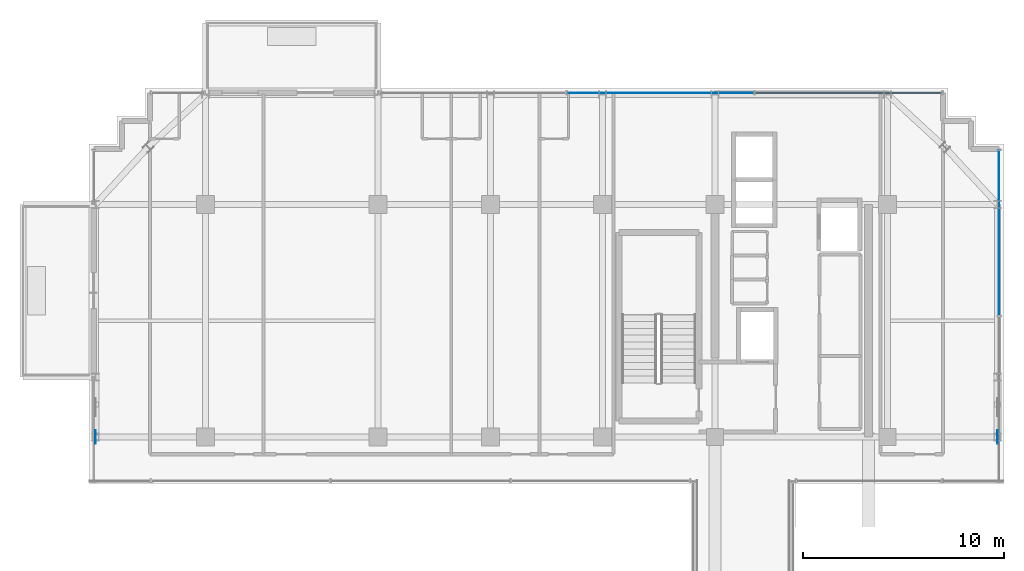
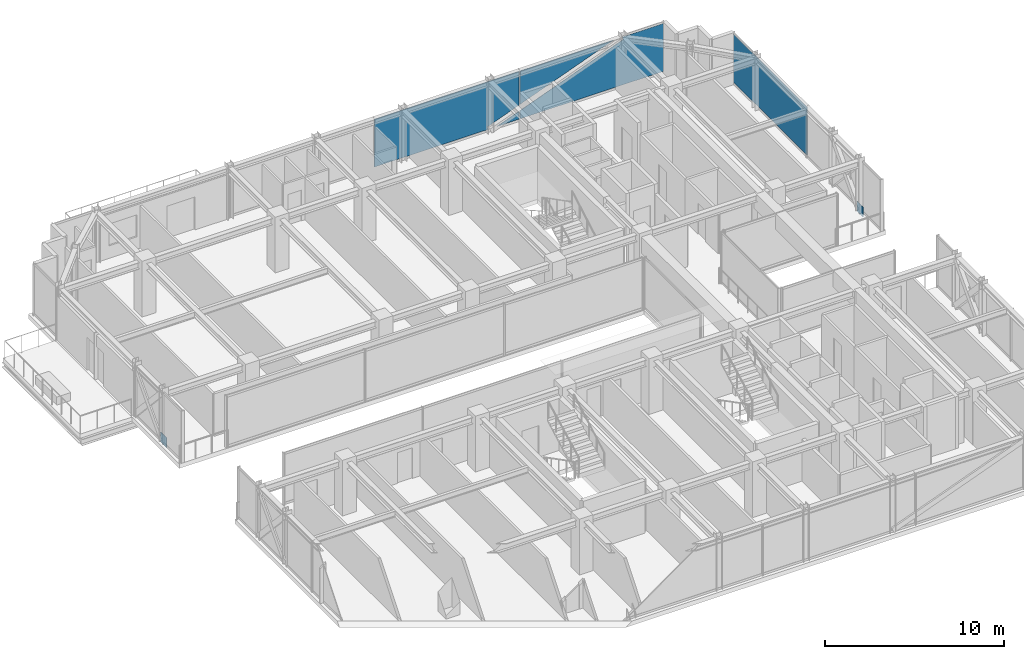
# One storey, part 33 of 41: 5 plates, 2 elements without a shape of their own.
"""IFC4 building model written with IfcOpenShell, lengths in metres."""

import ifcopenshell
import ifcopenshell.guid

model = None  # the IFC model being written
_history = None  # IfcOwnerHistory: only IFC2X3 demands one
_inside = {}  # id of a spatial element -> (the spatial element, [elements in it])
_under = {}  # id of a project, library or spatial element -> (it, [spatial elements below it])
_declared = {}  # id of a project -> (the project, [libraries it declares])
_typed = {}  # id of a type object -> (the type object, [elements of that type])
_made_of = {}  # id of a material, layer set ... -> (it, [elements and type objects made of it])


def new_model(schema):
    """Start an empty IFC model of exactly this schema.

    Asked for "IFC4X3", IfcOpenShell would pick the latest addendum, in which some entities
    have other attributes; the version numbers below select the first issue.
    IFC2X3 requires an IfcOwnerHistory on every rooted entity: one is made here for all.
    """
    global model, _history
    if schema == "IFC4X3":
        model = ifcopenshell.file(schema_version=(4, 3, 0, 0))
    else:
        model = ifcopenshell.file(schema=schema)
    _inside.clear()
    _under.clear()
    _declared.clear()
    _typed.clear()
    _made_of.clear()
    _history = None
    if model.schema == "IFC2X3":
        org = make("IfcOrganization", Name="unknown")
        user = make(
            "IfcPersonAndOrganization",
            ThePerson=make("IfcPerson", FamilyName="unknown"),
            TheOrganization=org,
        )
        app = make(
            "IfcApplication",
            ApplicationDeveloper=org,
            Version="unknown",
            ApplicationFullName="unknown",
            ApplicationIdentifier="unknown",
        )
        _history = make(
            "IfcOwnerHistory",
            OwningUser=user,
            OwningApplication=app,
            ChangeAction="ADDED",
            CreationDate=0,
        )
    return model


def make(cls, **values):
    """One entity of the class cls with the attributes given. An attribute that is None is left unset."""
    return model.create_entity(
        cls, **{name: value for name, value in values.items() if value is not None}
    )


def rooted(cls, **values):
    """An entity with a GlobalId (a new one), such as an element, a storey or a relation."""
    return make(cls, GlobalId=ifcopenshell.guid.new(), OwnerHistory=_history, **values)


def si_unit(unit_type, name, prefix=None):
    """IfcSIUnit, for example si_unit("LENGTHUNIT", "METRE", prefix="MILLI")."""
    return make("IfcSIUnit", UnitType=unit_type, Prefix=prefix, Name=name)


def assignment(units):
    """IfcUnitAssignment: the units of a project."""
    return None if units is None else make("IfcUnitAssignment", Units=units)


def point(xyz):
    """IfcCartesianPoint."""
    return None if xyz is None else make("IfcCartesianPoint", Coordinates=xyz)


def direction(xyz):
    """IfcDirection."""
    return None if xyz is None else make("IfcDirection", DirectionRatios=xyz)


def frame(location, z_axis=None, x_axis=None):
    """IfcAxis2Placement3D, a coordinate frame: its origin and axes. An axis left out is left unset."""
    return make(
        "IfcAxis2Placement3D",
        Location=point(location),
        Axis=direction(z_axis),
        RefDirection=direction(x_axis),
    )


def frame_2d(location, x_axis=None):
    """IfcAxis2Placement2D, a coordinate frame in the plane: its origin and x axis."""
    return make(
        "IfcAxis2Placement2D", Location=point(location), RefDirection=direction(x_axis)
    )


def origin():
    """The frame at (0, 0, 0) with its axes left unset."""
    return frame((0.0, 0.0, 0.0))


def origin_2d():
    """The frame at (0, 0) in the plane with its x axis left unset."""
    return frame_2d((0.0, 0.0))


def place(relative_to, where):
    """IfcLocalPlacement: puts the frame where relative to a parent placement (None: the world)."""
    return make(
        "IfcLocalPlacement", PlacementRelTo=relative_to, RelativePlacement=where
    )


def context(
    kind, dimensions, precision=None, world=None, true_north=None, identifier=None
):
    """IfcGeometricRepresentationContext, for example the 3D "Model" context."""
    return make(
        "IfcGeometricRepresentationContext",
        ContextIdentifier=identifier,
        ContextType=kind,
        CoordinateSpaceDimension=dimensions,
        Precision=precision,
        WorldCoordinateSystem=world,
        TrueNorth=true_north,
    )


def subcontext(parent, identifier, kind, view, scale=None):
    """IfcGeometricRepresentationSubContext, for example "Body" below "Model"."""
    return make(
        "IfcGeometricRepresentationSubContext",
        ContextIdentifier=identifier,
        ContextType=kind,
        ParentContext=parent,
        TargetScale=scale,
        TargetView=view,
    )


def project(units=None, contexts=None):
    """IfcProject with its units and contexts."""
    return rooted(
        "IfcProject",
        Name="project",
        RepresentationContexts=contexts,
        UnitsInContext=assignment(units),
    )


def spatial(cls, under=None, at=None, **own):
    """A site, building, storey or space (cls), placed at a placement, below another one or the project."""
    s = rooted(cls, ObjectPlacement=at, **own)
    if under is not None:
        _under.setdefault(under.id(), (under, []))[1].append(s)
    return s


def polyline(points):
    """IfcPolyline through the points."""
    return make("IfcPolyline", Points=[point(p) for p in points])


def profile(cls, at=None, kind="AREA", **sizes):
    """A parametric profile (cls). Its sizes go by their IFC names, for example OverallWidth=200.0."""
    return make(cls, ProfileType=kind, Position=at, **sizes)


def rectangle(**sizes):
    """IfcRectangleProfileDef."""
    return profile("IfcRectangleProfileDef", **sizes)


def outline(outer, holes=None, kind="AREA"):
    """IfcArbitraryClosedProfileDef: a profile drawn as a closed curve; with holes, ...WithVoids."""
    if holes is None:
        return make("IfcArbitraryClosedProfileDef", ProfileType=kind, OuterCurve=outer)
    return make(
        "IfcArbitraryProfileDefWithVoids",
        ProfileType=kind,
        OuterCurve=outer,
        InnerCurves=holes,
    )


def extrude(swept, where, along, depth):
    """IfcExtrudedAreaSolid: the profile swept, set in the frame where, extruded along a direction by depth."""
    return make(
        "IfcExtrudedAreaSolid",
        SweptArea=swept,
        Position=where,
        ExtrudedDirection=direction(along),
        Depth=depth,
    )


def shape(context_of_items, identifier, shape_type, items):
    """IfcShapeRepresentation: the items that make up one representation, for example the "Body"."""
    return make(
        "IfcShapeRepresentation",
        ContextOfItems=context_of_items,
        RepresentationIdentifier=identifier,
        RepresentationType=shape_type,
        Items=items,
    )


def source(mapping_origin, context_of_items, identifier, shape_type, items):
    """IfcRepresentationMap: a shape defined once, which mapped items show again and again."""
    return make(
        "IfcRepresentationMap",
        MappingOrigin=mapping_origin,
        MappedRepresentation=shape(context_of_items, identifier, shape_type, items),
    )


def transform(
    local_origin,
    x_axis=None,
    y_axis=None,
    z_axis=None,
    scale=None,
    scale2=None,
    scale3=None,
    uniform=True,
):
    """IfcCartesianTransformationOperator3D, or its non-uniform kind. x_axis, y_axis, z_axis: its Axis1, 2, 3."""
    if uniform:
        return make(
            "IfcCartesianTransformationOperator3D",
            Axis1=direction(x_axis),
            Axis2=direction(y_axis),
            LocalOrigin=point(local_origin),
            Scale=scale,
            Axis3=direction(z_axis),
        )
    return make(
        "IfcCartesianTransformationOperator3DnonUniform",
        Axis1=direction(x_axis),
        Axis2=direction(y_axis),
        LocalOrigin=point(local_origin),
        Scale=scale,
        Axis3=direction(z_axis),
        Scale2=scale2,
        Scale3=scale3,
    )


def mapped(mapping_source, mapping_target):
    """IfcMappedItem: shows the shape of a source again, moved by a transform."""
    return make(
        "IfcMappedItem", MappingSource=mapping_source, MappingTarget=mapping_target
    )


def material(Name=None, Category=None):
    """IfcMaterial."""
    return make("IfcMaterial", Name=Name, Category=Category)


def layer(
    of_material, thickness, ventilated=None, Name=None, Category=None, Priority=None
):
    """IfcMaterialLayer: one layer of a wall or slab, of a material (None: an air gap)."""
    return make(
        "IfcMaterialLayer",
        Material=of_material,
        LayerThickness=thickness,
        IsVentilated=ventilated,
        Name=Name,
        Category=Category,
        Priority=Priority,
    )


def layer_set(layers, Name=None):
    """IfcMaterialLayerSet."""
    return make("IfcMaterialLayerSet", MaterialLayers=layers, LayerSetName=Name)


def made_of(thing, what):
    """Note that an element or type object is made of a material, layer set ...; save() writes the relation."""
    if what is not None:
        _made_of.setdefault(what.id(), (what, []))[1].append(thing)
    return thing


def type_object(cls, material=None, **own):
    """A type object (cls), such as IfcWallType, which elements share."""
    return made_of(rooted(cls, **own), material)


def element(
    cls,
    number,
    at=None,
    inside=None,
    cuts=None,
    type_object=None,
    material=None,
    context=None,
    identifier="Body",
    shape_type=None,
    held_by="IfcProductDefinitionShape",
    body=None,
    shapes=None,
    **own,
):
    """One element of the class cls, such as IfcWall. Its Tag is "e" and its number.

    at: its placement. inside: the storey or other place that contains it. cuts: it is an
    opening in that element (IfcRelVoidsElement). A single representation is given by context,
    identifier, shape_type and body (its items); several are given by shapes. held_by: the class
    of the entity that holds the representations. save() writes the other relations.
    """
    e = rooted(cls, Tag="e%d" % number, ObjectPlacement=at, **own)
    if body is not None:
        shapes = [shape(context, identifier, shape_type, body)]
    if shapes is not None:
        e.Representation = make(held_by, Representations=shapes)
    if inside is not None:
        _inside.setdefault(inside.id(), (inside, []))[1].append(e)
    if cuts is not None:
        rooted(
            "IfcRelVoidsElement", RelatingBuildingElement=cuts, RelatedOpeningElement=e
        )
    if type_object is not None:
        _typed.setdefault(type_object.id(), (type_object, []))[1].append(e)
    return made_of(e, material)


def aggregate(whole, parts):
    """IfcRelAggregates: a whole, such as a stair, and the parts it consists of."""
    return rooted("IfcRelAggregates", RelatingObject=whole, RelatedObjects=parts)


def save(model, path):
    """Write the relations noted so far, then the file.

    IfcRelAggregates (storeys below a building ...), IfcRelContainedInSpatialStructure (elements
    in a storey), IfcRelDefinesByType, IfcRelAssociatesMaterial and IfcRelDeclares: one each for
    every whole, place, type object, material and project.
    """
    for whole, parts in _under.values():
        aggregate(whole, parts)
    for where, things in _inside.values():
        rooted(
            "IfcRelContainedInSpatialStructure",
            RelatedElements=things,
            RelatingStructure=where,
        )
    for kind, things in _typed.values():
        rooted("IfcRelDefinesByType", RelatedObjects=things, RelatingType=kind)
    for what, things in _made_of.values():
        rooted("IfcRelAssociatesMaterial", RelatedObjects=things, RelatingMaterial=what)
    for by, libraries in _declared.values():
        rooted("IfcRelDeclares", RelatingContext=by, RelatedDefinitions=libraries)
    model.write(path)


model = new_model("IFC4")

# Units and contexts
model_context = context("Model", 3, precision=1e-05, world=origin(), true_north=direction((0.0, 1.0)))
body_context = subcontext(model_context, "Body", "Model", "MODEL_VIEW")
ifc_project = project(units=[si_unit("LENGTHUNIT", "METRE"), si_unit("AREAUNIT", "SQUARE_METRE"), si_unit("VOLUMEUNIT", "CUBIC_METRE"), si_unit("PLANEANGLEUNIT", "RADIAN"), si_unit("MASSUNIT", "GRAM", prefix="KILO")], contexts=[model_context])

# Site, building, storey
site_placement = place(None, origin())
site = spatial("IfcSite", under=ifc_project, at=site_placement, CompositionType="ELEMENT")
building_placement = place(site_placement, origin())
building = spatial("IfcBuilding", under=site, at=building_placement, Name="Nahalor Promenade Grand Hotel", CompositionType="ELEMENT")
storey_placement = place(building_placement, frame((0.0, 0.0, 304.199951171875)))
storey = spatial("IfcBuildingStorey", under=building, at=storey_placement, Name="L78", CompositionType="ELEMENT", Elevation=304.199951171875)

# Curtain wall, plates
ifc_material_1 = material(Name="Anodised Bronze Aluminium EN AW-6063 T6", Category="aluminium")
curtain_wall_type = type_object("IfcCurtainWallType", Name="CW3 Elliptical-Void Collar Unitised Curtain Wall", PredefinedType="USERDEFINED", material=ifc_material_1)
curtain_wall_1_placement = place(storey_placement, origin())
curtain_wall_1 = element("IfcCurtainWall", 1, at=curtain_wall_1_placement, inside=storey, type_object=curtain_wall_type, Name="L78 Curtain Wall CW-L78-N-3", ObjectType="UNITISED_CURTAIN_WALL", PredefinedType="USERDEFINED")
ifc_material_2 = material(Name="Low-E Laminated Solar Glass", Category="glass")
ifc_layer_1 = layer(ifc_material_2, 0.030029296875)
ifc_layer_set_1 = layer_set([ifc_layer_1], Name="Low-E Laminated Solar Glass")
plate_type_1 = type_object("IfcPlateType", Name="CWP3 High-Wind Laminated Bronze IGU 30mm", PredefinedType="CURTAIN_PANEL", material=ifc_layer_set_1)
plate_1_placement = place(storey_placement, frame((5.679931640625, 22.56005859375, 0.14013671875), z_axis=(0.0, 0.0, 1.0), x_axis=(1.0, 0.0, 0.0)))
plate_1 = element("IfcPlate", 2, at=plate_1_placement, type_object=plate_type_1, Name="CW-L78-N-3 Glazing Panel 1-0", PredefinedType="CURTAIN_PANEL", context=body_context, shape_type="SweptSolid", body=[
    extrude(outline(polyline([(-4.658447265625, 3.27001953125), (-4.658447265625, 0.0), (2.697021484375, 0.0), (2.6259765625, 0.188232421875), (4.658447265625, 0.956298828125), (4.658447265625, 3.27001953125), (-4.658447265625, 3.27001953125)])), frame((0.0, 0.01513671875, 0.0), z_axis=(0.0, -1.0, 0.0), x_axis=(1.0, 0.0, 0.0)), (0.0, 0.0, 1.0), 0.030029296875),
    extrude(outline(polyline([(3.25927734375, 0.0), (4.658447265625, 0.0), (4.658447265625, 0.52880859375), (3.25927734375, 0.0)])), frame((0.0, 0.01513671875, 0.0), z_axis=(0.0, -1.0, 0.0), x_axis=(1.0, 0.0, 0.0)), (0.0, 0.0, 1.0), 0.030029296875),
])
plate_2_placement = place(storey_placement, frame((15.049072265625, 22.56005859375, 0.14013671875), z_axis=(0.0, 0.0, 1.0), x_axis=(1.0, 0.0, 0.0)))
plate_2 = element("IfcPlate", 3, at=plate_2_placement, type_object=plate_type_1, Name="CW-L78-N-3 Glazing Panel 2-0", PredefinedType="CURTAIN_PANEL", context=body_context, shape_type="SweptSolid", body=[
    extrude(outline(polyline([(4.640869140625, 0.0), (4.640869140625, 3.27001953125), (1.973876953125, 3.27001953125), (2.044921875, 3.081787109375), (-4.640869140625, 0.55517578125), (-4.640869140625, 0.0), (4.640869140625, 0.0)])), frame((0.0, 0.01513671875, 0.0), z_axis=(0.0, -1.0, 0.0), x_axis=(1.0, 0.0, 0.0)), (0.0, 0.0, 1.0), 0.030029296875),
    extrude(outline(polyline([(1.41162109375, 3.27001953125), (-4.640869140625, 3.27001953125), (-4.640869140625, 0.982666015625), (1.41162109375, 3.27001953125)])), frame((0.0, 0.01513671875, 0.0), z_axis=(0.0, -1.0, 0.0), x_axis=(1.0, 0.0, 0.0)), (0.0, 0.0, 1.0), 0.030029296875),
])
aggregate(curtain_wall_1, [plate_1, plate_2])

# Plates
ifc_material_3 = material(Name="Steel S355JR", Category="steel")
ifc_layer_2 = layer(ifc_material_3, 0.02392578125)
ifc_layer_set_2 = layer_set([ifc_layer_2], Name="Steel S355JR")
plate_type_2 = type_object("IfcPlateType", Name="Plate-Gusset-24", PredefinedType="USERDEFINED", material=ifc_layer_set_2)
shared_shape_1 = source(origin(), body_context, "Body", "SweptSolid", [
    extrude(rectangle(XDim=0.679931640625, YDim=0.02392578125, at=origin_2d()), origin(), (0.0, 0.0, 1.0), 0.679931640625),
])
for number, where, z_axis, x_axis, name in (
    (4, (-22.47998046875, 5.39990234375, -0.18994140625), (0.0, 0.0, 1.0), (0.0, 1.0, 0.0), "PL-L78-PN2-W"),
    (5, (22.47998046875, 5.39990234375, -0.18994140625), (0.0, 0.0, 1.0), (0.0, 1.0, 0.0), "PL-L78-PN2-E"),
):
    element("IfcPlate", number, at=place(storey_placement, frame(where, z_axis=z_axis, x_axis=x_axis)), inside=storey, type_object=plate_type_2, Name=name, ObjectType="GUSSET_PLATE", PredefinedType="USERDEFINED", context=body_context, shape_type="MappedRepresentation", body=[
        mapped(shared_shape_1, transform((0.0, 0.0, 0.0), scale=1.0)),
    ])

# Curtain wall, plate
curtain_wall_2_placement = place(storey_placement, origin())
curtain_wall_2 = element("IfcCurtainWall", 6, at=curtain_wall_2_placement, inside=storey, type_object=curtain_wall_type, Name="L78 Curtain Wall CW-L78-E-2", ObjectType="UNITISED_CURTAIN_WALL", PredefinedType="USERDEFINED")
shared_shape_2 = source(origin(), body_context, "Body", "SweptSolid", [
    extrude(rectangle(XDim=8.22509765625, YDim=0.030029296875, at=origin_2d()), origin(), (0.0, 0.0, 1.0), 3.27001953125),
])
plate_3_placement = place(storey_placement, frame((22.56005859375, 15.577392578125, 0.14013671875), z_axis=(0.0, 0.0, 1.0), x_axis=(0.0, 1.0, 0.0)))
plate_3 = element("IfcPlate", 7, at=plate_3_placement, type_object=plate_type_1, Name="CW-L78-E-2 Glazing Panel 1-0", PredefinedType="CURTAIN_PANEL", context=body_context, shape_type="MappedRepresentation", body=[
    mapped(shared_shape_2, transform((0.0, 0.0, 0.0), scale=1.0)),
])
aggregate(curtain_wall_2, [plate_3])

save(model, "model.ifc")
